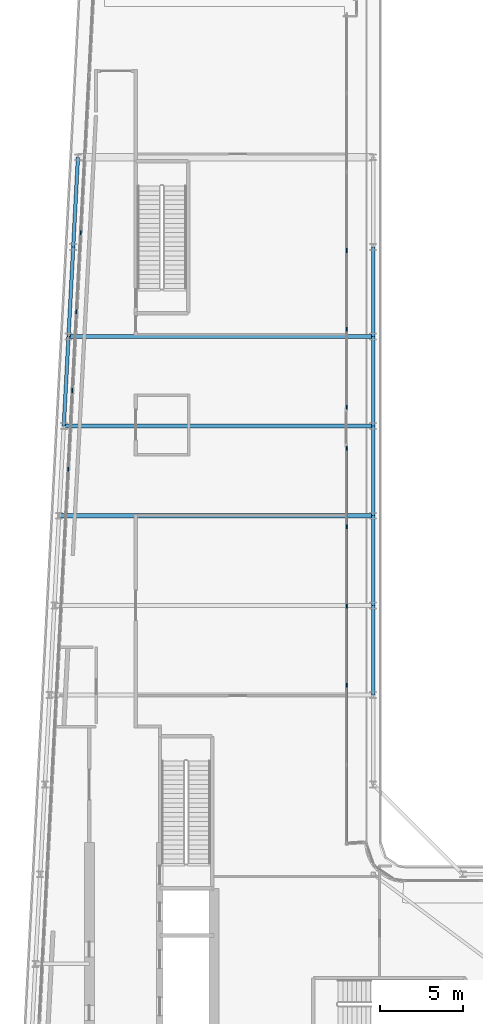
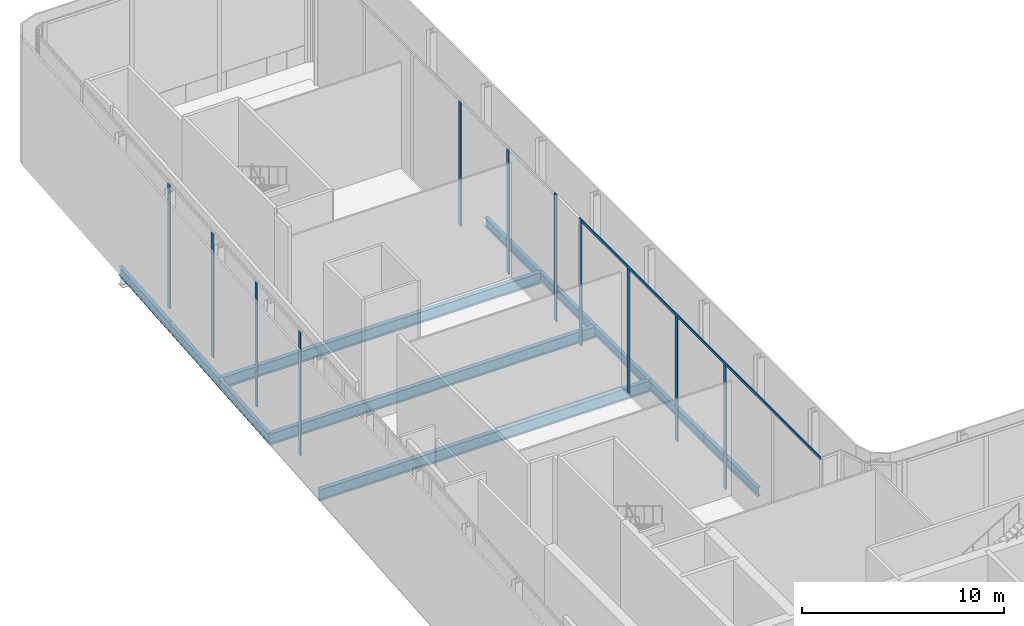
# One storey, part 11 of 28: 12 members, 11 beams, 3 elements without a shape of their own.
"""IFC4 building model written with IfcOpenShell, lengths in metres."""

from ifc_helpers import new_model, si_unit, direction, frame, origin, origin_2d, place, context, subcontext, project, spatial, rectangle, i_section, extrude, material, layer, layer_set, material_profile, profile_set, type_object, element, aggregate, save


model = new_model("IFC4")

# Units and contexts
model_context = context("Model", 3, precision=1e-05, world=origin(), true_north=direction((0.0, 1.0)))
body_context = subcontext(model_context, "Body", "Model", "MODEL_VIEW")
ifc_project = project(units=[si_unit("LENGTHUNIT", "METRE"), si_unit("AREAUNIT", "SQUARE_METRE"), si_unit("VOLUMEUNIT", "CUBIC_METRE"), si_unit("PLANEANGLEUNIT", "RADIAN"), si_unit("MASSUNIT", "GRAM", prefix="KILO")], contexts=[model_context])

# Site, building, storey
site_placement = place(None, origin())
site = spatial("IfcSite", under=ifc_project, at=site_placement, CompositionType="ELEMENT")
building_placement = place(site_placement, origin())
building = spatial("IfcBuilding", under=site, at=building_placement, Name="Kheshtan School and Residences Tower", CompositionType="ELEMENT")
storey_placement = place(building_placement, frame((0.0, 0.0, 325.39990234375)))
storey = spatial("IfcBuildingStorey", under=building, at=storey_placement, Name="L77", CompositionType="ELEMENT", Elevation=325.39990234375)

# Beams
ifc_material_1 = material(Name="Steel ASTM A992 Grade 50", Category="steel")
ifc_material_profile_1 = material_profile(ifc_material_1, i_section(OverallWidth=0.2529296875, OverallDepth=0.677978515625, WebThickness=0.01171875, FlangeThickness=0.016357421875, FilletRadius=0.0146484375, at=origin_2d()), Name="W690x125")
ifc_profile_set_1 = profile_set([ifc_material_profile_1], Name="Steel ASTM A992 Grade 50")
beam_type_1 = type_object("IfcBeamType", Name="Beam FB6 W690x125 ASTM A992 Grade 50", PredefinedType="BEAM", material=ifc_profile_set_1)
beam_1_placement = place(storey_placement, frame((47.60009765625, 78.0, -0.489013671875), z_axis=(-1.0, 0.0, 0.0), x_axis=(0.0, -1.0, 0.0)))
element("IfcBeam", 1, at=beam_1_placement, inside=storey, type_object=beam_type_1, Name="Floor beam C089", PredefinedType="BEAM", context=body_context, shape_type="SweptSolid", body=[
    extrude(i_section(OverallWidth=0.2529296875, OverallDepth=0.677978515625, WebThickness=0.01171875, FlangeThickness=0.016357421875, FilletRadius=0.0146484375, at=origin_2d()), origin(), (0.0, 0.0, 1.0), 18.357177734375),
])
beam_2_placement = place(storey_placement, frame((47.60009765625, 67.199951171875, -0.489013671875), z_axis=(-1.0, 0.0, 0.0), x_axis=(0.0, -1.0, 0.0)))
element("IfcBeam", 2, at=beam_2_placement, inside=storey, type_object=beam_type_1, Name="Floor beam C085", PredefinedType="BEAM", context=body_context, shape_type="SweptSolid", body=[
    extrude(i_section(OverallWidth=0.2529296875, OverallDepth=0.677978515625, WebThickness=0.01171875, FlangeThickness=0.016357421875, FilletRadius=0.0146484375, at=origin_2d()), origin(), (0.0, 0.0, 1.0), 18.926025390625),
])
beam_3_placement = place(storey_placement, frame((28.9580078125, 72.60009765625, -0.489013671875), z_axis=(1.0, 0.0, 0.0), x_axis=(0.0, 1.0, 0.0)))
element("IfcBeam", 3, at=beam_3_placement, inside=storey, type_object=beam_type_1, Name="Floor beam C086", PredefinedType="BEAM", context=body_context, shape_type="SweptSolid", body=[
    extrude(i_section(OverallWidth=0.2529296875, OverallDepth=0.677978515625, WebThickness=0.01171875, FlangeThickness=0.016357421875, FilletRadius=0.0146484375, at=origin_2d()), origin(), (0.0, 0.0, 1.0), 18.64208984375),
])
ifc_material_profile_2 = material_profile(ifc_material_1, i_section(OverallWidth=0.208984375, OverallDepth=0.532958984375, WebThickness=0.01025390625, FlangeThickness=0.015625, FilletRadius=0.013916015625, at=origin_2d()), Name="W530x92")
ifc_profile_set_2 = profile_set([ifc_material_profile_2], Name="Steel ASTM A992 Grade 50")
beam_type_2 = type_object("IfcBeamType", Name="Beam SP3 W530x92 ASTM A992 Grade 50", PredefinedType="BEAM", material=ifc_profile_set_2)
for number, where, z_axis, x_axis, name in (
    (4, (47.60009765625, 83.39990234375, -0.41650390625), (0.0, -1.0, 0.0), (1.0, 0.0, 0.0), "Spandrel beam C091-C089"),
    (5, (47.60009765625, 78.0, -0.41650390625), (0.0, -1.0, 0.0), (1.0, 0.0, 0.0), "Spandrel beam C089-C087"),
):
    element("IfcBeam", number, at=place(storey_placement, frame(where, z_axis=z_axis, x_axis=x_axis)), inside=storey, type_object=beam_type_2, Name=name, PredefinedType="BEAM", context=body_context, shape_type="SweptSolid", body=[
        extrude(i_section(OverallWidth=0.208984375, OverallDepth=0.532958984375, WebThickness=0.01025390625, FlangeThickness=0.015625, FilletRadius=0.013916015625, at=origin_2d()), origin(), (0.0, 0.0, 1.0), 5.39990234375),
    ])
beam_4_placement = place(storey_placement, frame((47.60009765625, 72.60009765625, -0.41650390625), z_axis=(0.0, -1.0, 0.0), x_axis=(1.0, 0.0, 0.0)))
element("IfcBeam", 6, at=beam_4_placement, inside=storey, type_object=beam_type_2, Name="Spandrel beam C087-C085", PredefinedType="BEAM", context=body_context, shape_type="SweptSolid", body=[
    extrude(i_section(OverallWidth=0.208984375, OverallDepth=0.532958984375, WebThickness=0.01025390625, FlangeThickness=0.015625, FilletRadius=0.013916015625, at=origin_2d()), origin(), (0.0, 0.0, 1.0), 5.400146484375),
])
beam_5_placement = place(storey_placement, frame((47.60009765625, 67.199951171875, -0.41650390625), z_axis=(0.0, -1.0, 0.0), x_axis=(1.0, 0.0, 0.0)))
element("IfcBeam", 7, at=beam_5_placement, inside=storey, type_object=beam_type_2, Name="Spandrel beam C085-C083", PredefinedType="BEAM", context=body_context, shape_type="SweptSolid", body=[
    extrude(i_section(OverallWidth=0.208984375, OverallDepth=0.532958984375, WebThickness=0.01025390625, FlangeThickness=0.015625, FilletRadius=0.013916015625, at=origin_2d()), origin(), (0.0, 0.0, 1.0), 5.39990234375),
])
beam_6_placement = place(storey_placement, frame((47.60009765625, 61.800048828125, -0.41650390625), z_axis=(0.0, -1.0, 0.0), x_axis=(1.0, 0.0, 0.0)))
element("IfcBeam", 8, at=beam_6_placement, inside=storey, type_object=beam_type_2, Name="Spandrel beam C083-C081", PredefinedType="BEAM", context=body_context, shape_type="SweptSolid", body=[
    extrude(i_section(OverallWidth=0.208984375, OverallDepth=0.532958984375, WebThickness=0.01025390625, FlangeThickness=0.015625, FilletRadius=0.013916015625, at=origin_2d()), origin(), (0.0, 0.0, 1.0), 5.400146484375),
])
for number, where, z_axis, x_axis, name in (
    (9, (28.9580078125, 72.60009765625, -0.41650390625), (0.052689166816, 0.998610961136, 0.0), (-0.998610961136, 0.052689166816, 0.0), "Spandrel beam C086-C088"),
    (10, (29.242919921875, 78.0, -0.41650390625), (0.052554093665, 0.998618078766, 0.0), (-0.998618078766, 0.052554093665, 0.0), "Spandrel beam C088-C090"),
):
    element("IfcBeam", number, at=place(storey_placement, frame(where, z_axis=z_axis, x_axis=x_axis)), inside=storey, type_object=beam_type_2, Name=name, PredefinedType="BEAM", context=body_context, shape_type="SweptSolid", body=[
        extrude(i_section(OverallWidth=0.208984375, OverallDepth=0.532958984375, WebThickness=0.01025390625, FlangeThickness=0.015625, FilletRadius=0.013916015625, at=origin_2d()), origin(), (0.0, 0.0, 1.0), 5.407470703125),
    ])
beam_7_placement = place(storey_placement, frame((29.527099609375, 83.39990234375, -0.41650390625), z_axis=(0.05250670125, 0.998620571751, 0.0), x_axis=(-0.998620571751, 0.05250670125, 0.0)))
element("IfcBeam", 11, at=beam_7_placement, inside=storey, type_object=beam_type_2, Name="Spandrel beam C090-C098", PredefinedType="BEAM", context=body_context, shape_type="SweptSolid", body=[
    extrude(i_section(OverallWidth=0.208984375, OverallDepth=0.532958984375, WebThickness=0.01025390625, FlangeThickness=0.015625, FilletRadius=0.013916015625, at=origin_2d()), origin(), (0.0, 0.0, 1.0), 5.40771484375),
])

# Curtain wall, members
ifc_material_2 = material(Name="Clear low-e glass in thermally broken aluminium frame", Category="aluminium")
ifc_layer_1 = layer(ifc_material_2, 0.25)
ifc_layer_set_1 = layer_set([ifc_layer_1], Name="Curtain wall CW-G")
curtain_wall_type_1 = type_object("IfcCurtainWallType", Name="Curtain wall CW-G", PredefinedType="NOTDEFINED", material=ifc_layer_set_1)
curtain_wall_1_placement = place(storey_placement, origin())
curtain_wall_1 = element("IfcCurtainWall", 12, at=curtain_wall_1_placement, inside=storey, type_object=curtain_wall_type_1, Name="Curtain wall CWG15", PredefinedType="NOTDEFINED")
ifc_material_3 = material(Name="Thermally broken aluminium, dark bronze anodised", Category="aluminium")
ifc_material_profile_3 = material_profile(ifc_material_3, rectangle(XDim=0.06005859375, YDim=0.25, at=origin_2d()), Name="CW-G mullion 60x250")
ifc_profile_set_3 = profile_set([ifc_material_profile_3], Name="Thermally broken aluminium, dark bronze anodised")
member_type_1 = type_object("IfcMemberType", Name="CW-G mullion 60x250", PredefinedType="MULLION", material=ifc_profile_set_3)
member_1_placement = place(storey_placement, frame((46.0, 83.179931640625, 0.0), z_axis=(0.0, 0.0, 1.0), x_axis=(1.0, 0.0, 0.0)))
member_1 = element("IfcMember", 13, at=member_1_placement, type_object=member_type_1, Name="CWG15 mullion 4", PredefinedType="MULLION", context=body_context, shape_type="SweptSolid", body=[
    extrude(rectangle(XDim=0.06005859375, YDim=0.25, at=origin_2d()), origin(), (0.0, 0.0, 1.0), 7.489990234375),
])
member_2_placement = place(storey_placement, frame((46.0, 78.43994140625, 0.0), z_axis=(0.0, 0.0, 1.0), x_axis=(1.0, 0.0, 0.0)))
member_2 = element("IfcMember", 14, at=member_2_placement, type_object=member_type_1, Name="CWG15 mullion 5", PredefinedType="MULLION", context=body_context, shape_type="SweptSolid", body=[
    extrude(rectangle(XDim=0.06005859375, YDim=0.25, at=origin_2d()), origin(), (0.0, 0.0, 1.0), 7.489990234375),
])
member_3_placement = place(storey_placement, frame((46.0, 73.72998046875, 0.0), z_axis=(0.0, 0.0, 1.0), x_axis=(1.0, 0.0, 0.0)))
member_3 = element("IfcMember", 15, at=member_3_placement, type_object=member_type_1, Name="CWG15 mullion 6", PredefinedType="MULLION", context=body_context, shape_type="SweptSolid", body=[
    extrude(rectangle(XDim=0.06005859375, YDim=0.25, at=origin_2d()), origin(), (0.0, 0.0, 1.0), 7.650146484375),
])
aggregate(curtain_wall_1, [member_1, member_2, member_3])

curtain_wall_2_placement = place(storey_placement, origin())
curtain_wall_2 = element("IfcCurtainWall", 16, at=curtain_wall_2_placement, inside=storey, type_object=curtain_wall_type_1, Name="Curtain wall CWG15a", PredefinedType="NOTDEFINED")
member_4_placement = place(storey_placement, frame((46.0, 71.27001953125, 0.0), z_axis=(0.0, 0.0, 1.0), x_axis=(1.0, 0.0, 0.0)))
member_4 = element("IfcMember", 17, at=member_4_placement, type_object=member_type_1, Name="CWG15a mullion 1", PredefinedType="MULLION", context=body_context, shape_type="SweptSolid", body=[
    extrude(rectangle(XDim=0.06005859375, YDim=0.25, at=origin_2d()), origin(), (0.0, 0.0, 1.0), 7.650146484375),
])
member_5_placement = place(storey_placement, frame((46.0, 66.52587890625, 0.0), z_axis=(0.0, 0.0, 1.0), x_axis=(1.0, 0.0, 0.0)))
member_5 = element("IfcMember", 18, at=member_5_placement, type_object=member_type_1, Name="CWG15a mullion 2", PredefinedType="MULLION", context=body_context, shape_type="SweptSolid", body=[
    extrude(rectangle(XDim=0.06005859375, YDim=0.25, at=origin_2d()), origin(), (0.0, 0.0, 1.0), 7.489990234375),
])
member_6_placement = place(storey_placement, frame((46.0, 61.751953125, 0.0), z_axis=(0.0, 0.0, 1.0), x_axis=(1.0, 0.0, 0.0)))
member_6 = element("IfcMember", 19, at=member_6_placement, type_object=member_type_1, Name="CWG15a mullion 3", PredefinedType="MULLION", context=body_context, shape_type="SweptSolid", body=[
    extrude(rectangle(XDim=0.06005859375, YDim=0.25, at=origin_2d()), origin(), (0.0, 0.0, 1.0), 7.489990234375),
])
member_7_placement = place(storey_placement, frame((46.0, 56.97802734375, 0.0), z_axis=(0.0, 0.0, 1.0), x_axis=(1.0, 0.0, 0.0)))
member_7 = element("IfcMember", 20, at=member_7_placement, type_object=member_type_1, Name="CWG15a mullion 4", PredefinedType="MULLION", context=body_context, shape_type="SweptSolid", body=[
    extrude(rectangle(XDim=0.06005859375, YDim=0.25, at=origin_2d()), origin(), (0.0, 0.0, 1.0), 7.489990234375),
])
ifc_material_profile_4 = material_profile(ifc_material_3, rectangle(XDim=0.06005859375, YDim=0.159912109375, at=origin_2d()), Name="CW-G transom 60x160")
ifc_profile_set_4 = profile_set([ifc_material_profile_4], Name="Thermally broken aluminium, dark bronze anodised")
member_type_2 = type_object("IfcMemberType", Name="CW-G transom 60x160", PredefinedType="USERDEFINED", material=ifc_profile_set_4)
member_8_placement = place(storey_placement, frame((46.0, 71.239990234375, 7.570068359375), z_axis=(0.0, -1.0, 0.0), x_axis=(1.0, 0.0, 0.0)))
member_8 = element("IfcMember", 21, at=member_8_placement, type_object=member_type_2, Name="CWG15a transom 1", ObjectType="TRANSOM", PredefinedType="USERDEFINED", context=body_context, shape_type="SweptSolid", body=[
    extrude(rectangle(XDim=0.06005859375, YDim=0.159912109375, at=origin_2d()), origin(), (0.0, 0.0, 1.0), 23.75),
])
aggregate(curtain_wall_2, [member_4, member_5, member_6, member_7, member_8])

ifc_layer_2 = layer(ifc_material_2, 0.25)
ifc_layer_set_2 = layer_set([ifc_layer_2], Name="Curtain wall CW-K")
curtain_wall_type_2 = type_object("IfcCurtainWallType", Name="Curtain wall CW-K", PredefinedType="NOTDEFINED", material=ifc_layer_set_2)
curtain_wall_3_placement = place(storey_placement, origin())
curtain_wall_3 = element("IfcCurtainWall", 22, at=curtain_wall_3_placement, inside=storey, type_object=curtain_wall_type_2, Name="Curtain wall CWK6b", PredefinedType="NOTDEFINED")
ifc_material_profile_5 = material_profile(ifc_material_3, rectangle(XDim=0.06005859375, YDim=0.25, at=origin_2d()), Name="CW-K mullion 60x250")
ifc_profile_set_5 = profile_set([ifc_material_profile_5], Name="Thermally broken aluminium, dark bronze anodised")
member_type_3 = type_object("IfcMemberType", Name="CW-K mullion 60x250", PredefinedType="MULLION", material=ifc_profile_set_5)
member_9_placement = place(storey_placement, frame((29.22119140625, 69.993408203125, 0.0), z_axis=(0.0, 0.0, 1.0), x_axis=(-0.998617497599, 0.05256513568, 0.0)))
member_9 = element("IfcMember", 23, at=member_9_placement, type_object=member_type_3, Name="CWK6b mullion 9", PredefinedType="MULLION", context=body_context, shape_type="SweptSolid", body=[
    extrude(rectangle(XDim=0.06005859375, YDim=0.25, at=origin_2d()), origin(), (0.0, 0.0, 1.0), 7.489990234375),
])
member_10_placement = place(storey_placement, frame((29.471435546875, 74.74560546875, 0.0), z_axis=(0.0, 0.0, 1.0), x_axis=(-0.998617497599, 0.05256513568, 0.0)))
member_10 = element("IfcMember", 24, at=member_10_placement, type_object=member_type_3, Name="CWK6b mullion 10", PredefinedType="MULLION", context=body_context, shape_type="SweptSolid", body=[
    extrude(rectangle(XDim=0.06005859375, YDim=0.25, at=origin_2d()), origin(), (0.0, 0.0, 1.0), 7.489990234375),
])
member_11_placement = place(storey_placement, frame((29.7216796875, 79.497802734375, 0.0), z_axis=(0.0, 0.0, 1.0), x_axis=(-0.998617497599, 0.05256513568, 0.0)))
member_11 = element("IfcMember", 25, at=member_11_placement, type_object=member_type_3, Name="CWK6b mullion 11", PredefinedType="MULLION", context=body_context, shape_type="SweptSolid", body=[
    extrude(rectangle(XDim=0.06005859375, YDim=0.25, at=origin_2d()), origin(), (0.0, 0.0, 1.0), 7.489990234375),
])
member_12_placement = place(storey_placement, frame((29.9716796875, 84.249755859375, 0.0), z_axis=(0.0, 0.0, 1.0), x_axis=(-0.998617497599, 0.05256513568, 0.0)))
member_12 = element("IfcMember", 26, at=member_12_placement, type_object=member_type_3, Name="CWK6b mullion 12", PredefinedType="MULLION", context=body_context, shape_type="SweptSolid", body=[
    extrude(rectangle(XDim=0.06005859375, YDim=0.25, at=origin_2d()), origin(), (0.0, 0.0, 1.0), 7.489990234375),
])
aggregate(curtain_wall_3, [member_9, member_10, member_11, member_12])

save(model, "model.ifc")
